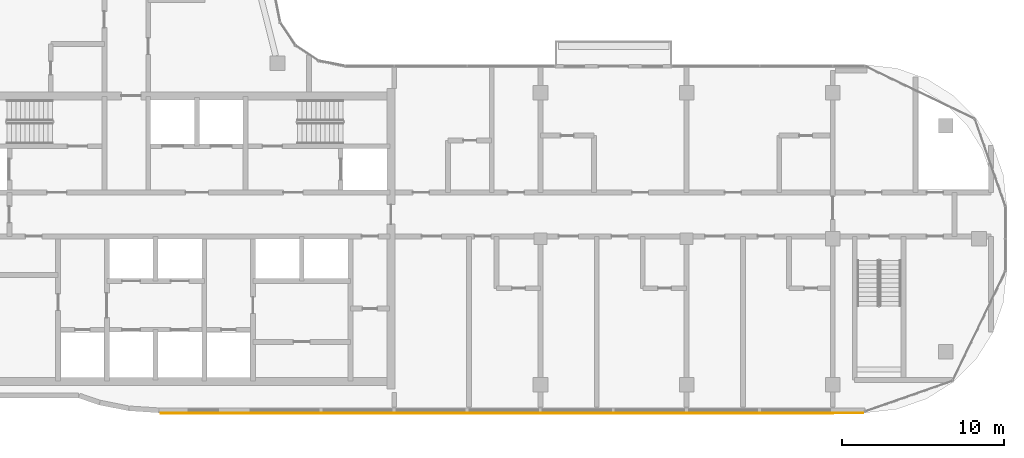
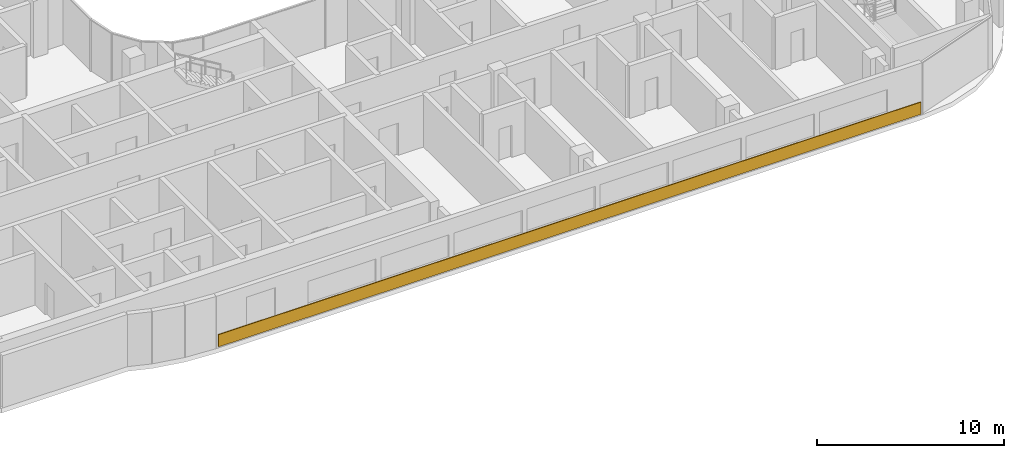
# One storey, part 17 of 19: 1 covering.
"""IFC4 building model written with IfcOpenShell, lengths in metres."""

import ifcopenshell
import ifcopenshell.guid

model = None  # the IFC model being written
_history = None  # IfcOwnerHistory: only IFC2X3 demands one
_inside = {}  # id of a spatial element -> (the spatial element, [elements in it])
_under = {}  # id of a project, library or spatial element -> (it, [spatial elements below it])
_declared = {}  # id of a project -> (the project, [libraries it declares])
_typed = {}  # id of a type object -> (the type object, [elements of that type])
_made_of = {}  # id of a material, layer set ... -> (it, [elements and type objects made of it])


def new_model(schema):
    """Start an empty IFC model of exactly this schema.

    Asked for "IFC4X3", IfcOpenShell would pick the latest addendum, in which some entities
    have other attributes; the version numbers below select the first issue.
    IFC2X3 requires an IfcOwnerHistory on every rooted entity: one is made here for all.
    """
    global model, _history
    if schema == "IFC4X3":
        model = ifcopenshell.file(schema_version=(4, 3, 0, 0))
    else:
        model = ifcopenshell.file(schema=schema)
    _inside.clear()
    _under.clear()
    _declared.clear()
    _typed.clear()
    _made_of.clear()
    _history = None
    if model.schema == "IFC2X3":
        org = make("IfcOrganization", Name="unknown")
        user = make(
            "IfcPersonAndOrganization",
            ThePerson=make("IfcPerson", FamilyName="unknown"),
            TheOrganization=org,
        )
        app = make(
            "IfcApplication",
            ApplicationDeveloper=org,
            Version="unknown",
            ApplicationFullName="unknown",
            ApplicationIdentifier="unknown",
        )
        _history = make(
            "IfcOwnerHistory",
            OwningUser=user,
            OwningApplication=app,
            ChangeAction="ADDED",
            CreationDate=0,
        )
    return model


def make(cls, **values):
    """One entity of the class cls with the attributes given. An attribute that is None is left unset."""
    return model.create_entity(
        cls, **{name: value for name, value in values.items() if value is not None}
    )


def rooted(cls, **values):
    """An entity with a GlobalId (a new one), such as an element, a storey or a relation."""
    return make(cls, GlobalId=ifcopenshell.guid.new(), OwnerHistory=_history, **values)


def si_unit(unit_type, name, prefix=None):
    """IfcSIUnit, for example si_unit("LENGTHUNIT", "METRE", prefix="MILLI")."""
    return make("IfcSIUnit", UnitType=unit_type, Prefix=prefix, Name=name)


def assignment(units):
    """IfcUnitAssignment: the units of a project."""
    return None if units is None else make("IfcUnitAssignment", Units=units)


def point(xyz):
    """IfcCartesianPoint."""
    return None if xyz is None else make("IfcCartesianPoint", Coordinates=xyz)


def direction(xyz):
    """IfcDirection."""
    return None if xyz is None else make("IfcDirection", DirectionRatios=xyz)


def frame(location, z_axis=None, x_axis=None):
    """IfcAxis2Placement3D, a coordinate frame: its origin and axes. An axis left out is left unset."""
    return make(
        "IfcAxis2Placement3D",
        Location=point(location),
        Axis=direction(z_axis),
        RefDirection=direction(x_axis),
    )


def frame_2d(location, x_axis=None):
    """IfcAxis2Placement2D, a coordinate frame in the plane: its origin and x axis."""
    return make(
        "IfcAxis2Placement2D", Location=point(location), RefDirection=direction(x_axis)
    )


def origin():
    """The frame at (0, 0, 0) with its axes left unset."""
    return frame((0.0, 0.0, 0.0))


def origin_2d():
    """The frame at (0, 0) in the plane with its x axis left unset."""
    return frame_2d((0.0, 0.0))


def place(relative_to, where):
    """IfcLocalPlacement: puts the frame where relative to a parent placement (None: the world)."""
    return make(
        "IfcLocalPlacement", PlacementRelTo=relative_to, RelativePlacement=where
    )


def context(
    kind, dimensions, precision=None, world=None, true_north=None, identifier=None
):
    """IfcGeometricRepresentationContext, for example the 3D "Model" context."""
    return make(
        "IfcGeometricRepresentationContext",
        ContextIdentifier=identifier,
        ContextType=kind,
        CoordinateSpaceDimension=dimensions,
        Precision=precision,
        WorldCoordinateSystem=world,
        TrueNorth=true_north,
    )


def subcontext(parent, identifier, kind, view, scale=None):
    """IfcGeometricRepresentationSubContext, for example "Body" below "Model"."""
    return make(
        "IfcGeometricRepresentationSubContext",
        ContextIdentifier=identifier,
        ContextType=kind,
        ParentContext=parent,
        TargetScale=scale,
        TargetView=view,
    )


def project(units=None, contexts=None):
    """IfcProject with its units and contexts."""
    return rooted(
        "IfcProject",
        Name="project",
        RepresentationContexts=contexts,
        UnitsInContext=assignment(units),
    )


def spatial(cls, under=None, at=None, **own):
    """A site, building, storey or space (cls), placed at a placement, below another one or the project."""
    s = rooted(cls, ObjectPlacement=at, **own)
    if under is not None:
        _under.setdefault(under.id(), (under, []))[1].append(s)
    return s


def profile(cls, at=None, kind="AREA", **sizes):
    """A parametric profile (cls). Its sizes go by their IFC names, for example OverallWidth=200.0."""
    return make(cls, ProfileType=kind, Position=at, **sizes)


def rectangle(**sizes):
    """IfcRectangleProfileDef."""
    return profile("IfcRectangleProfileDef", **sizes)


def extrude(swept, where, along, depth):
    """IfcExtrudedAreaSolid: the profile swept, set in the frame where, extruded along a direction by depth."""
    return make(
        "IfcExtrudedAreaSolid",
        SweptArea=swept,
        Position=where,
        ExtrudedDirection=direction(along),
        Depth=depth,
    )


def shape(context_of_items, identifier, shape_type, items):
    """IfcShapeRepresentation: the items that make up one representation, for example the "Body"."""
    return make(
        "IfcShapeRepresentation",
        ContextOfItems=context_of_items,
        RepresentationIdentifier=identifier,
        RepresentationType=shape_type,
        Items=items,
    )


def material(Name=None, Category=None):
    """IfcMaterial."""
    return make("IfcMaterial", Name=Name, Category=Category)


def layer(
    of_material, thickness, ventilated=None, Name=None, Category=None, Priority=None
):
    """IfcMaterialLayer: one layer of a wall or slab, of a material (None: an air gap)."""
    return make(
        "IfcMaterialLayer",
        Material=of_material,
        LayerThickness=thickness,
        IsVentilated=ventilated,
        Name=Name,
        Category=Category,
        Priority=Priority,
    )


def layer_set(layers, Name=None):
    """IfcMaterialLayerSet."""
    return make("IfcMaterialLayerSet", MaterialLayers=layers, LayerSetName=Name)


def made_of(thing, what):
    """Note that an element or type object is made of a material, layer set ...; save() writes the relation."""
    if what is not None:
        _made_of.setdefault(what.id(), (what, []))[1].append(thing)
    return thing


def type_object(cls, material=None, **own):
    """A type object (cls), such as IfcWallType, which elements share."""
    return made_of(rooted(cls, **own), material)


def element(
    cls,
    number,
    at=None,
    inside=None,
    cuts=None,
    type_object=None,
    material=None,
    context=None,
    identifier="Body",
    shape_type=None,
    held_by="IfcProductDefinitionShape",
    body=None,
    shapes=None,
    **own,
):
    """One element of the class cls, such as IfcWall. Its Tag is "e" and its number.

    at: its placement. inside: the storey or other place that contains it. cuts: it is an
    opening in that element (IfcRelVoidsElement). A single representation is given by context,
    identifier, shape_type and body (its items); several are given by shapes. held_by: the class
    of the entity that holds the representations. save() writes the other relations.
    """
    e = rooted(cls, Tag="e%d" % number, ObjectPlacement=at, **own)
    if body is not None:
        shapes = [shape(context, identifier, shape_type, body)]
    if shapes is not None:
        e.Representation = make(held_by, Representations=shapes)
    if inside is not None:
        _inside.setdefault(inside.id(), (inside, []))[1].append(e)
    if cuts is not None:
        rooted(
            "IfcRelVoidsElement", RelatingBuildingElement=cuts, RelatedOpeningElement=e
        )
    if type_object is not None:
        _typed.setdefault(type_object.id(), (type_object, []))[1].append(e)
    return made_of(e, material)


def aggregate(whole, parts):
    """IfcRelAggregates: a whole, such as a stair, and the parts it consists of."""
    return rooted("IfcRelAggregates", RelatingObject=whole, RelatedObjects=parts)


def save(model, path):
    """Write the relations noted so far, then the file.

    IfcRelAggregates (storeys below a building ...), IfcRelContainedInSpatialStructure (elements
    in a storey), IfcRelDefinesByType, IfcRelAssociatesMaterial and IfcRelDeclares: one each for
    every whole, place, type object, material and project.
    """
    for whole, parts in _under.values():
        aggregate(whole, parts)
    for where, things in _inside.values():
        rooted(
            "IfcRelContainedInSpatialStructure",
            RelatedElements=things,
            RelatingStructure=where,
        )
    for kind, things in _typed.values():
        rooted("IfcRelDefinesByType", RelatedObjects=things, RelatingType=kind)
    for what, things in _made_of.values():
        rooted("IfcRelAssociatesMaterial", RelatedObjects=things, RelatingMaterial=what)
    for by, libraries in _declared.values():
        rooted("IfcRelDeclares", RelatingContext=by, RelatedDefinitions=libraries)
    model.write(path)


model = new_model("IFC4")

# Units and contexts
model_context = context("Model", 3, precision=1e-05, world=origin(), true_north=direction((0.0, 1.0)))
body_context = subcontext(model_context, "Body", "Model", "MODEL_VIEW")
ifc_project = project(units=[si_unit("LENGTHUNIT", "METRE"), si_unit("AREAUNIT", "SQUARE_METRE"), si_unit("VOLUMEUNIT", "CUBIC_METRE"), si_unit("PLANEANGLEUNIT", "RADIAN"), si_unit("MASSUNIT", "GRAM", prefix="KILO")], contexts=[model_context])

# Site, building, storey
site_placement = place(None, origin())
site = spatial("IfcSite", under=ifc_project, at=site_placement, CompositionType="ELEMENT")
building_placement = place(site_placement, origin())
building = spatial("IfcBuilding", under=site, at=building_placement, Name="Ogive Portal Towers", CompositionType="ELEMENT")
storey_placement = place(building_placement, frame((0.0, 0.0, 199.5)))
storey = spatial("IfcBuildingStorey", under=building, at=storey_placement, Name="L49", CompositionType="ELEMENT", Elevation=199.5)

# Covering
ifc_material = material(Name="Limestone cladding on lightweight block wall", Category="masonry")
ifc_layer = layer(ifc_material, 0.050048828125)
ifc_layer_set = layer_set([ifc_layer], Name="SCREEN PERFORATED STONE")
covering_type = type_object("IfcCoveringType", Name="SCREEN PERFORATED STONE", PredefinedType="CLADDING", material=ifc_layer_set)
covering_placement = place(storey_placement, frame((65.748046875, 19.760009765625, 0.10009765625), z_axis=(0.0, 0.0, 1.0), x_axis=(1.0, 0.0, 0.0)))
element("IfcCovering", 1, at=covering_placement, inside=storey, type_object=covering_type, Name="Tracery screen", PredefinedType="CLADDING", context=body_context, shape_type="SweptSolid", body=[
    extrude(rectangle(XDim=43.276611328125, YDim=0.050048828125, at=origin_2d()), origin(), (0.0, 0.0, 1.0), 0.800048828125),
])

save(model, "model.ifc")
